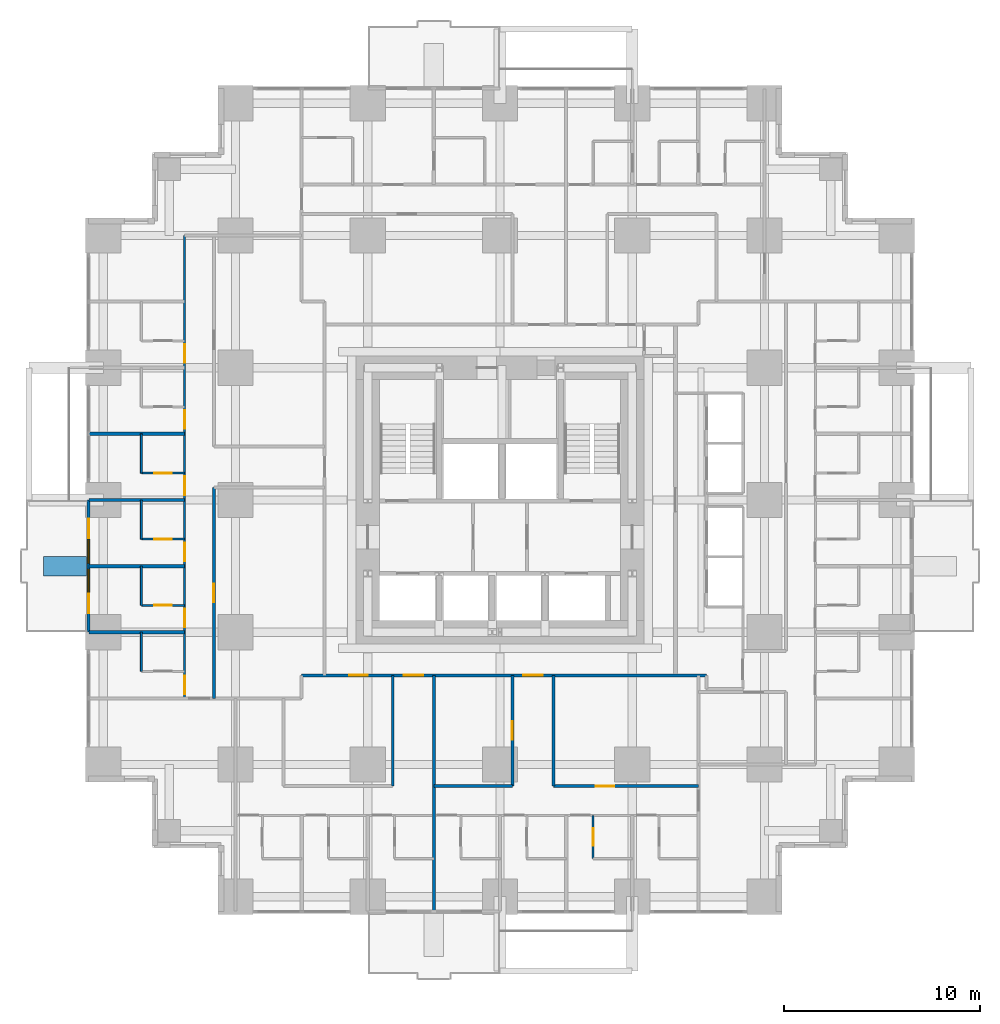
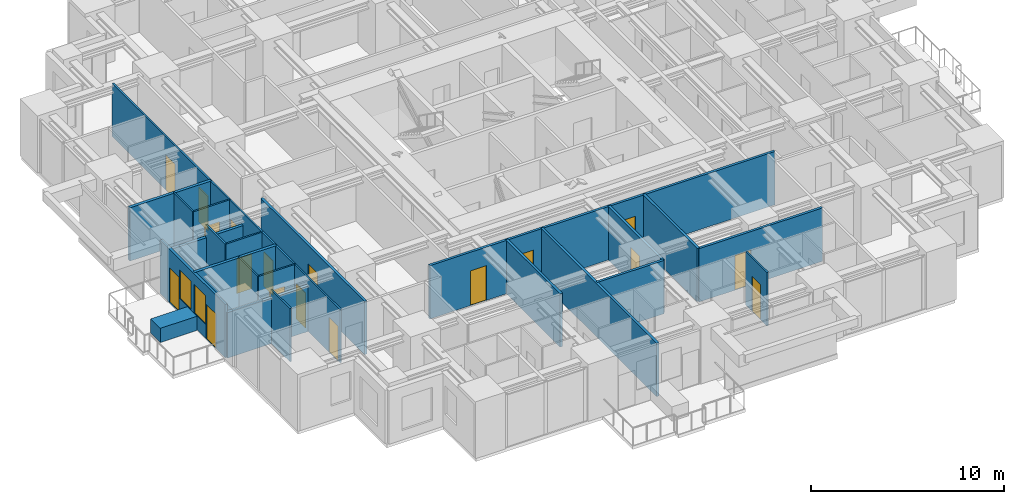
# One storey, part 9 of 15: 23 walls, 18 doors, 2 windows, 20 openings.
"""IFC4 building model written with IfcOpenShell, lengths in metres."""

from ifc_helpers import new_model, si_unit, direction, frame, frame_2d, origin, place, context, subcontext, project, spatial, rectangle, extrude, material, layer, layer_set, type_object, element, fill, save


model = new_model("IFC4")

# Units and contexts
model_context = context("Model", 3, precision=1e-05, world=origin(), true_north=direction((0.0, 1.0)))
body_context = subcontext(model_context, "Body", "Model", "MODEL_VIEW")
ifc_project = project(units=[si_unit("LENGTHUNIT", "METRE"), si_unit("AREAUNIT", "SQUARE_METRE"), si_unit("VOLUMEUNIT", "CUBIC_METRE"), si_unit("PLANEANGLEUNIT", "RADIAN"), si_unit("MASSUNIT", "GRAM", prefix="KILO")], contexts=[model_context])

# Site, building, storey
site_placement = place(None, origin())
site = spatial("IfcSite", under=ifc_project, at=site_placement, CompositionType="ELEMENT")
building_placement = place(site_placement, origin())
building = spatial("IfcBuilding", under=site, at=building_placement, Name="Nyansa Garden Tower", CompositionType="ELEMENT")
storey_placement = place(building_placement, frame((0.0, 0.0, 61.199951171875)))
storey = spatial("IfcBuildingStorey", under=building, at=storey_placement, Name="L16", CompositionType="ELEMENT", Elevation=61.199951171875)

# Walls
ifc_material_1 = material(Name="Dense blockwork, plastered both sides, 55 dB", Category="masonry")
ifc_layer_1 = layer(ifc_material_1, 0.175048828125)
ifc_layer_set_1 = layer_set([ifc_layer_1], Name="Acoustic party wall PW175")
wall_type_1 = type_object("IfcWallType", Name="Acoustic party wall PW175", PredefinedType="PARTITIONING", material=ifc_layer_set_1)
wall_1_placement = place(storey_placement, frame((-0.73388671875, 13.5, 0.0), z_axis=(0.0, 0.0, 1.0), x_axis=(1.0, 0.0, 0.0)))
element("IfcWall", 1, at=wall_1_placement, inside=storey, type_object=wall_type_1, Name="Party wall", PredefinedType="PARTITIONING", context=body_context, shape_type="SweptSolid", body=[
    extrude(rectangle(XDim=4.8837890625, YDim=0.175048828125, at=frame_2d((2.44189453125, 0.0))), origin(), (0.0, 0.0, 1.0), 2.876953125),
])
wall_2_placement = place(storey_placement, frame((-0.73388671875, 16.875, 0.0), z_axis=(0.0, 0.0, 1.0), x_axis=(1.0, 0.0, 0.0)))
element("IfcWall", 2, at=wall_2_placement, inside=storey, type_object=wall_type_1, Name="Party wall", PredefinedType="PARTITIONING", context=body_context, shape_type="SweptSolid", body=[
    extrude(rectangle(XDim=4.8837890625, YDim=0.175048828125, at=frame_2d((2.44189453125, 0.0))), origin(), (0.0, 0.0, 1.0), 3.375),
])
wall_3_placement = place(storey_placement, frame((-0.73388671875, 20.25, 0.0), z_axis=(0.0, 0.0, 1.0), x_axis=(1.0, 0.0, 0.0)))
element("IfcWall", 3, at=wall_3_placement, inside=storey, type_object=wall_type_1, Name="Party wall", PredefinedType="PARTITIONING", context=body_context, shape_type="SweptSolid", body=[
    extrude(rectangle(XDim=4.8837890625, YDim=0.175048828125, at=frame_2d((2.44189453125, 0.0))), origin(), (0.0, 0.0, 1.0), 2.610107421875),
])
wall_4_placement = place(storey_placement, frame((-0.73388671875, 23.625, 0.0), z_axis=(0.0, 0.0, 1.0), x_axis=(1.0, 0.0, 0.0)))
element("IfcWall", 4, at=wall_4_placement, inside=storey, type_object=wall_type_1, Name="Party wall", PredefinedType="PARTITIONING", context=body_context, shape_type="SweptSolid", body=[
    extrude(rectangle(XDim=4.8837890625, YDim=0.175048828125, at=frame_2d((2.44189453125, 0.0))), origin(), (0.0, 0.0, 1.0), 3.375),
])

# Wall, openings, doors, windows
ifc_material_2 = material(Name="Black aluminium framed glazed screen", Category="aluminium")
ifc_layer_2 = layer(ifc_material_2, 0.14990234375)
ifc_layer_set_2 = layer_set([ifc_layer_2], Name="Balcony screen wall BW150")
wall_type_2 = type_object("IfcWallType", Name="Balcony screen wall BW150", PredefinedType="SOLIDWALL", material=ifc_layer_set_2)
wall_5_placement = place(storey_placement, frame((-0.75, 13.5, 0.0), z_axis=(0.0, 0.0, 1.0), x_axis=(0.0, 1.0, 0.0)))
wall_5 = element("IfcWall", 5, at=wall_5_placement, inside=storey, type_object=wall_type_2, Name="Glazed screen wall L16 W", PredefinedType="SOLIDWALL", context=body_context, shape_type="SweptSolid", body=[
    extrude(rectangle(XDim=6.75, YDim=0.14990234375, at=frame_2d((3.375, 0.0))), origin(), (0.0, 0.0, 1.0), 3.375),
])
opening_1_placement = place(wall_5_placement, frame((0.96240234375, 0.0, 0.0)))
opening_1 = element("IfcOpeningElement", 6, at=opening_1_placement, cuts=wall_5, Name="Opening D20", PredefinedType="OPENING", context=body_context, shape_type="SweptSolid", body=[
    extrude(rectangle(XDim=1.0, YDim=2.199951171875, at=frame_2d((0.5, 1.10009765625))), frame((0.0, 0.0849609375, 0.0), z_axis=(0.0, -1.0, 0.0), x_axis=(1.0, 0.0, 0.0)), (0.0, 0.0, 1.0), 0.169921875),
])
opening_2_placement = place(wall_5_placement, frame((2.02490234375, 0.0, 0.89990234375)))
opening_2 = element("IfcOpeningElement", 7, at=opening_2_placement, cuts=wall_5, Name="Opening W6", PredefinedType="OPENING", context=body_context, shape_type="SweptSolid", body=[
    extrude(rectangle(XDim=1.199951171875, YDim=1.800048828125, at=frame_2d((0.60009765625, 0.89990234375))), frame((0.0, 0.0849609375, 0.0), z_axis=(0.0, -1.0, 0.0), x_axis=(1.0, 0.0, 0.0)), (0.0, 0.0, 1.0), 0.169921875),
])
opening_3_placement = place(wall_5_placement, frame((4.78759765625, 0.0, 0.0)))
opening_3 = element("IfcOpeningElement", 8, at=opening_3_placement, cuts=wall_5, Name="Opening D20", PredefinedType="OPENING", context=body_context, shape_type="SweptSolid", body=[
    extrude(rectangle(XDim=1.0, YDim=2.199951171875, at=frame_2d((0.5, 1.10009765625))), frame((0.0, 0.0849609375, 0.0), z_axis=(0.0, -1.0, 0.0), x_axis=(1.0, 0.0, 0.0)), (0.0, 0.0, 1.0), 0.169921875),
])
opening_4_placement = place(wall_5_placement, frame((3.52490234375, 0.0, 0.89990234375)))
opening_4 = element("IfcOpeningElement", 9, at=opening_4_placement, cuts=wall_5, Name="Opening W6", PredefinedType="OPENING", context=body_context, shape_type="SweptSolid", body=[
    extrude(rectangle(XDim=1.199951171875, YDim=1.800048828125, at=frame_2d((0.60009765625, 0.89990234375))), frame((0.0, 0.0849609375, 0.0), z_axis=(0.0, -1.0, 0.0), x_axis=(1.0, 0.0, 0.0)), (0.0, 0.0, 1.0), 0.169921875),
])
ifc_material_3 = material(Name="Black aluminium framed glazed door", Category="aluminium")
door_type_1 = type_object("IfcDoorType", Name="Balcony door D20 1000x2200", OperationType="NOTDEFINED", PredefinedType="DOOR", material=ifc_material_3)
door_1_placement = place(opening_1_placement, origin())
door_1 = element("IfcDoor", 10, at=door_1_placement, inside=storey, type_object=door_type_1, Name="Balcony door L16", OperationType="SINGLE_SWING_LEFT", OverallHeight=2.199951171875, OverallWidth=1.0, PredefinedType="DOOR", context=body_context, shape_type="SweptSolid", body=[
    extrude(rectangle(XDim=1.0, YDim=2.199951171875, at=frame_2d((0.5, 1.10009765625))), frame((0.0, 0.02490234375, 0.0), z_axis=(0.0, -1.0, 0.0), x_axis=(1.0, 0.0, 0.0)), (0.0, 0.0, 1.0), 0.050048828125),
])
fill(opening_1, door_1)
door_2_placement = place(opening_3_placement, origin())
door_2 = element("IfcDoor", 11, at=door_2_placement, inside=storey, type_object=door_type_1, Name="Balcony door L16", OperationType="SINGLE_SWING_RIGHT", OverallHeight=2.199951171875, OverallWidth=1.0, PredefinedType="DOOR", context=body_context, shape_type="SweptSolid", body=[
    extrude(rectangle(XDim=1.0, YDim=2.199951171875, at=frame_2d((0.5, 1.10009765625))), frame((0.0, 0.02490234375, 0.0), z_axis=(0.0, -1.0, 0.0), x_axis=(1.0, 0.0, 0.0)), (0.0, 0.0, 1.0), 0.050048828125),
])
fill(opening_3, door_2)
ifc_material_4 = material(Name="Black aluminium frame, dark tinted double glazing", Category="aluminium")
window_type = type_object("IfcWindowType", Name="Balcony window W6 1200x1800", PartitioningType="SINGLE_PANEL", PredefinedType="WINDOW", material=ifc_material_4)
window_1_placement = place(opening_2_placement, origin())
window_1 = element("IfcWindow", 12, at=window_1_placement, inside=storey, type_object=window_type, Name="Window L16", OverallHeight=1.800048828125, OverallWidth=1.199951171875, PartitioningType="SINGLE_PANEL", PredefinedType="WINDOW", context=body_context, shape_type="SweptSolid", body=[
    extrude(rectangle(XDim=1.199951171875, YDim=1.800048828125, at=frame_2d((0.60009765625, 0.89990234375))), frame((0.0, 0.030029296875, 0.0), z_axis=(0.0, -1.0, 0.0), x_axis=(1.0, 0.0, 0.0)), (0.0, 0.0, 1.0), 0.06005859375),
])
fill(opening_2, window_1)
window_2_placement = place(opening_4_placement, origin())
window_2 = element("IfcWindow", 13, at=window_2_placement, inside=storey, type_object=window_type, Name="Window L16", OverallHeight=1.800048828125, OverallWidth=1.199951171875, PartitioningType="SINGLE_PANEL", PredefinedType="WINDOW", context=body_context, shape_type="SweptSolid", body=[
    extrude(rectangle(XDim=1.199951171875, YDim=1.800048828125, at=frame_2d((0.60009765625, 0.89990234375))), frame((0.0, 0.030029296875, 0.0), z_axis=(0.0, -1.0, 0.0), x_axis=(1.0, 0.0, 0.0)), (0.0, 0.0, 1.0), 0.06005859375),
])
fill(opening_4, window_2)

# Wall, opening, door
ifc_material_5 = material(Name="Blockwork, plastered both sides", Category="masonry")
ifc_layer_3 = layer(ifc_material_5, 0.14990234375)
ifc_layer_set_3 = layer_set([ifc_layer_3], Name="Partition PW150")
wall_type_3 = type_object("IfcWallType", Name="Partition PW150", PredefinedType="PARTITIONING", material=ifc_layer_set_3)
wall_6_placement = place(storey_placement, frame((5.64990234375, 10.125, 0.0), z_axis=(0.0, 0.0, 1.0), x_axis=(0.0, 1.0, 0.0)))
wall_6 = element("IfcWall", 14, at=wall_6_placement, inside=storey, type_object=wall_type_3, Name="Partition", PredefinedType="PARTITIONING", context=body_context, shape_type="SweptSolid", body=[
    extrude(rectangle(XDim=10.762451171875, YDim=0.14990234375, at=frame_2d((5.38134765625, 0.0))), origin(), (0.0, 0.0, 1.0), 3.375),
])
opening_5_placement = place(wall_6_placement, frame((4.89990234375, 0.0, 0.0)))
opening_5 = element("IfcOpeningElement", 15, at=opening_5_placement, cuts=wall_6, Name="Opening D01", PredefinedType="OPENING", context=body_context, shape_type="SweptSolid", body=[
    extrude(rectangle(XDim=0.949951171875, YDim=2.199951171875, at=frame_2d((0.47509765625, 1.10009765625))), frame((0.0, 0.0849609375, 0.0), z_axis=(0.0, -1.0, 0.0), x_axis=(1.0, 0.0, 0.0)), (0.0, 0.0, 1.0), 0.169921875),
])
ifc_material_6 = material(Name="Timber flush door, 30 minute fire resisting", Category="wood")
door_type_2 = type_object("IfcDoorType", Name="Bedroom door D01 950x2200", OperationType="SINGLE_SWING_LEFT", PredefinedType="DOOR", material=ifc_material_6)
door_3_placement = place(opening_5_placement, origin())
door_3 = element("IfcDoor", 16, at=door_3_placement, inside=storey, type_object=door_type_2, Name="Door L16-082", OperationType="SINGLE_SWING_LEFT", OverallHeight=2.199951171875, OverallWidth=0.949951171875, PredefinedType="DOOR", context=body_context, shape_type="SweptSolid", body=[
    extrude(rectangle(XDim=0.949951171875, YDim=2.199951171875, at=frame_2d((0.47509765625, 1.10009765625))), frame((0.0, 0.02490234375, 0.0), z_axis=(0.0, -1.0, 0.0), x_axis=(1.0, 0.0, 0.0)), (0.0, 0.0, 1.0), 0.050048828125),
])
fill(opening_5, door_3)

# Wall, openings, doors
wall_7_placement = place(storey_placement, frame((10.125, 11.300048828125, 0.0), z_axis=(0.0, 0.0, 1.0), x_axis=(1.0, 0.0, 0.0)))
wall_7 = element("IfcWall", 17, at=wall_7_placement, inside=storey, type_object=wall_type_3, Name="Partition", PredefinedType="PARTITIONING", context=body_context, shape_type="SweptSolid", body=[
    extrude(rectangle(XDim=20.675048828125, YDim=0.14990234375, at=frame_2d((10.33740234375, 0.0))), origin(), (0.0, 0.0, 1.0), 3.375),
])
opening_6_placement = place(wall_7_placement, frame((5.199951171875, 0.0, 0.0)))
opening_6 = element("IfcOpeningElement", 18, at=opening_6_placement, cuts=wall_7, Name="Opening D03", PredefinedType="OPENING", context=body_context, shape_type="SweptSolid", body=[
    extrude(rectangle(XDim=1.0, YDim=2.199951171875, at=frame_2d((0.5, 1.10009765625))), frame((0.0, 0.0849609375, 0.0), z_axis=(0.0, -1.0, 0.0), x_axis=(1.0, 0.0, 0.0)), (0.0, 0.0, 1.0), 0.169921875),
])
opening_7_placement = place(wall_7_placement, frame((11.3125, 0.0, 0.0)))
opening_7 = element("IfcOpeningElement", 19, at=opening_7_placement, cuts=wall_7, Name="Opening D03", PredefinedType="OPENING", context=body_context, shape_type="SweptSolid", body=[
    extrude(rectangle(XDim=1.0, YDim=2.199951171875, at=frame_2d((0.5, 1.10009765625))), frame((0.0, 0.0849609375, 0.0), z_axis=(0.0, -1.0, 0.0), x_axis=(1.0, 0.0, 0.0)), (0.0, 0.0, 1.0), 0.169921875),
])
opening_8_placement = place(wall_7_placement, frame((2.425048828125, 0.0, 0.0)))
opening_8 = element("IfcOpeningElement", 20, at=opening_8_placement, cuts=wall_7, Name="Opening D01", PredefinedType="OPENING", context=body_context, shape_type="SweptSolid", body=[
    extrude(rectangle(XDim=0.949951171875, YDim=2.199951171875, at=frame_2d((0.47509765625, 1.10009765625))), frame((0.0, 0.0849609375, 0.0), z_axis=(0.0, -1.0, 0.0), x_axis=(1.0, 0.0, 0.0)), (0.0, 0.0, 1.0), 0.169921875),
])
door_4_placement = place(opening_8_placement, origin())
door_4 = element("IfcDoor", 21, at=door_4_placement, inside=storey, type_object=door_type_2, Name="Door L16-034", OperationType="SINGLE_SWING_LEFT", OverallHeight=2.199951171875, OverallWidth=0.949951171875, PredefinedType="DOOR", context=body_context, shape_type="SweptSolid", body=[
    extrude(rectangle(XDim=0.949951171875, YDim=2.199951171875, at=frame_2d((0.47509765625, 1.10009765625))), frame((0.0, 0.02490234375, 0.0), z_axis=(0.0, -1.0, 0.0), x_axis=(1.0, 0.0, 0.0)), (0.0, 0.0, 1.0), 0.050048828125),
])
fill(opening_8, door_4)
ifc_material_7 = material(Name="Timber flush door, 60 minute fire resisting", Category="wood")
door_type_3 = type_object("IfcDoorType", Name="Cluster entrance door D03 1000x2200", OperationType="SINGLE_SWING_LEFT", PredefinedType="DOOR", material=ifc_material_7)
door_5_placement = place(opening_6_placement, origin())
door_5 = element("IfcDoor", 22, at=door_5_placement, inside=storey, type_object=door_type_3, Name="Door L16-024", OperationType="SINGLE_SWING_LEFT", OverallHeight=2.199951171875, OverallWidth=1.0, PredefinedType="DOOR", context=body_context, shape_type="SweptSolid", body=[
    extrude(rectangle(XDim=1.0, YDim=2.199951171875, at=frame_2d((0.5, 1.10009765625))), frame((0.0, 0.02490234375, 0.0), z_axis=(0.0, -1.0, 0.0), x_axis=(1.0, 0.0, 0.0)), (0.0, 0.0, 1.0), 0.050048828125),
])
fill(opening_6, door_5)
door_6_placement = place(opening_7_placement, origin())
door_6 = element("IfcDoor", 23, at=door_6_placement, inside=storey, type_object=door_type_3, Name="Door L16-033", OperationType="SINGLE_SWING_LEFT", OverallHeight=2.199951171875, OverallWidth=1.0, PredefinedType="DOOR", context=body_context, shape_type="SweptSolid", body=[
    extrude(rectangle(XDim=1.0, YDim=2.199951171875, at=frame_2d((0.5, 1.10009765625))), frame((0.0, 0.02490234375, 0.0), z_axis=(0.0, -1.0, 0.0), x_axis=(1.0, 0.0, 0.0)), (0.0, 0.0, 1.0), 0.050048828125),
])
fill(opening_7, door_6)

# Walls
wall_8_placement = place(storey_placement, frame((14.77490234375, 5.64990234375, 0.0), z_axis=(0.0, 0.0, 1.0), x_axis=(0.0, 1.0, 0.0)))
element("IfcWall", 24, at=wall_8_placement, inside=storey, type_object=wall_type_3, Name="Partition", PredefinedType="PARTITIONING", context=body_context, shape_type="SweptSolid", body=[
    extrude(rectangle(XDim=5.650146484375, YDim=0.14990234375, at=frame_2d((2.8251953125, 0.0))), origin(), (0.0, 0.0, 1.0), 3.375),
])
wall_9_placement = place(storey_placement, frame((16.875, -0.73388671875, 0.0), z_axis=(0.0, 0.0, 1.0), x_axis=(0.0, 1.0, 0.0)))
element("IfcWall", 25, at=wall_9_placement, inside=storey, type_object=wall_type_3, Name="Partition", PredefinedType="PARTITIONING", context=body_context, shape_type="SweptSolid", body=[
    extrude(rectangle(XDim=12.033935546875, YDim=0.14990234375, at=frame_2d((6.01708984375, 0.0))), origin(), (0.0, 0.0, 1.0), 3.375),
])
wall_10_placement = place(storey_placement, frame((16.875, 5.64990234375, 0.0), z_axis=(0.0, 0.0, 1.0), x_axis=(1.0, 0.0, 0.0)))
element("IfcWall", 26, at=wall_10_placement, inside=storey, type_object=wall_type_3, Name="Partition", PredefinedType="PARTITIONING", context=body_context, shape_type="SweptSolid", body=[
    extrude(rectangle(XDim=4.012451171875, YDim=0.14990234375, at=frame_2d((2.00634765625, 0.0))), origin(), (0.0, 0.0, 1.0), 3.375),
])

# Wall, opening, door
wall_11_placement = place(storey_placement, frame((20.886962890625, 5.64990234375, 0.0), z_axis=(0.0, 0.0, 1.0), x_axis=(0.0, 1.0, 0.0)))
wall_11 = element("IfcWall", 27, at=wall_11_placement, inside=storey, type_object=wall_type_3, Name="Partition", PredefinedType="PARTITIONING", context=body_context, shape_type="SweptSolid", body=[
    extrude(rectangle(XDim=5.650146484375, YDim=0.14990234375, at=frame_2d((2.8251953125, 0.0))), origin(), (0.0, 0.0, 1.0), 3.375),
])
opening_9_placement = place(wall_11_placement, frame((2.35009765625, 0.0, 0.0)))
opening_9 = element("IfcOpeningElement", 28, at=opening_9_placement, cuts=wall_11, Name="Opening D01", PredefinedType="OPENING", context=body_context, shape_type="SweptSolid", body=[
    extrude(rectangle(XDim=0.949951171875, YDim=2.199951171875, at=frame_2d((0.47509765625, 1.10009765625))), frame((0.0, 0.0849609375, 0.0), z_axis=(0.0, -1.0, 0.0), x_axis=(1.0, 0.0, 0.0)), (0.0, 0.0, 1.0), 0.169921875),
])
door_7_placement = place(opening_9_placement, origin())
door_7 = element("IfcDoor", 29, at=door_7_placement, inside=storey, type_object=door_type_2, Name="Door L16-036", OperationType="SINGLE_SWING_LEFT", OverallHeight=2.199951171875, OverallWidth=0.949951171875, PredefinedType="DOOR", context=body_context, shape_type="SweptSolid", body=[
    extrude(rectangle(XDim=0.949951171875, YDim=2.199951171875, at=frame_2d((0.47509765625, 1.10009765625))), frame((0.0, 0.02490234375, 0.0), z_axis=(0.0, -1.0, 0.0), x_axis=(1.0, 0.0, 0.0)), (0.0, 0.0, 1.0), 0.050048828125),
])
fill(opening_9, door_7)

wall_12_placement = place(storey_placement, frame((22.987548828125, 5.64990234375, 0.0), z_axis=(0.0, 0.0, 1.0), x_axis=(1.0, 0.0, 0.0)))
wall_12 = element("IfcWall", 30, at=wall_12_placement, inside=storey, type_object=wall_type_3, Name="Partition", PredefinedType="PARTITIONING", context=body_context, shape_type="SweptSolid", body=[
    extrude(rectangle(XDim=7.387451171875, YDim=0.14990234375, at=frame_2d((3.69384765625, 0.0))), origin(), (0.0, 0.0, 1.0), 3.375),
])
opening_10_placement = place(wall_12_placement, frame((2.14990234375, 0.0, 0.0)))
opening_10 = element("IfcOpeningElement", 31, at=opening_10_placement, cuts=wall_12, Name="Opening D01", PredefinedType="OPENING", context=body_context, shape_type="SweptSolid", body=[
    extrude(rectangle(XDim=0.949951171875, YDim=2.199951171875, at=frame_2d((0.47509765625, 1.10009765625))), frame((0.0, 0.0849609375, 0.0), z_axis=(0.0, -1.0, 0.0), x_axis=(1.0, 0.0, 0.0)), (0.0, 0.0, 1.0), 0.169921875),
])
door_8_placement = place(opening_10_placement, origin())
door_8 = element("IfcDoor", 32, at=door_8_placement, inside=storey, type_object=door_type_2, Name="Door L16-035", OperationType="SINGLE_SWING_LEFT", OverallHeight=2.199951171875, OverallWidth=0.949951171875, PredefinedType="DOOR", context=body_context, shape_type="SweptSolid", body=[
    extrude(rectangle(XDim=0.949951171875, YDim=2.199951171875, at=frame_2d((0.47509765625, 1.10009765625))), frame((0.0, 0.02490234375, 0.0), z_axis=(0.0, -1.0, 0.0), x_axis=(1.0, 0.0, 0.0)), (0.0, 0.0, 1.0), 0.050048828125),
])
fill(opening_10, door_8)

# Walls
wall_13_placement = place(storey_placement, frame((22.988037109375, 5.64990234375, 0.0), z_axis=(0.0, 0.0, 1.0), x_axis=(0.0, 1.0, 0.0)))
element("IfcWall", 33, at=wall_13_placement, inside=storey, type_object=wall_type_3, Name="Partition", PredefinedType="PARTITIONING", context=body_context, shape_type="SweptSolid", body=[
    extrude(rectangle(XDim=5.650146484375, YDim=0.14990234375, at=frame_2d((2.8251953125, 0.0))), origin(), (0.0, 0.0, 1.0), 3.375),
])
ifc_material_8 = material(Name="Concrete C40/50 planter, waterproofed", Category="concrete")
ifc_layer_4 = layer(ifc_material_8, 1.0)
ifc_layer_set_4 = layer_set([ifc_layer_4], Name="Tree planter TP1")
wall_type_4 = type_object("IfcWallType", Name="Tree planter TP1", PredefinedType="USERDEFINED", material=ifc_layer_set_4)
wall_14_placement = place(storey_placement, frame((-0.85009765625, 16.875, 0.0), z_axis=(0.0, 0.0, 1.0), x_axis=(-1.0, 0.0, 0.0)))
element("IfcWall", 34, at=wall_14_placement, inside=storey, type_object=wall_type_4, Name="Tree planter L16", ObjectType="TREE PLANTER", PredefinedType="USERDEFINED", context=body_context, shape_type="SweptSolid", body=[
    extrude(rectangle(XDim=2.199951171875, YDim=1.0, at=frame_2d((1.10009765625, 0.0))), origin(), (0.0, 0.0, 1.0), 0.900146484375),
])
ifc_material_9 = material(Name="Moisture resistant board on steel studs, tiled", Category="steel")
ifc_layer_5 = layer(ifc_material_9, 0.10009765625)
ifc_layer_set_5 = layer_set([ifc_layer_5], Name="Wet wall PW100")
wall_type_5 = type_object("IfcWallType", Name="Wet wall PW100", PredefinedType="PARTITIONING", material=ifc_layer_set_5)
for number, where, z_axis, x_axis, name in (
    (35, (1.949951171875, 11.5, 0.0), (0.0, 0.0, 1.0), (0.0, 1.0, 0.0), "Wet wall"),
    (36, (1.949951171875, 14.875, 0.0), (0.0, 0.0, 1.0), (0.0, 1.0, 0.0), "Wet wall"),
):
    element("IfcWall", number, at=place(storey_placement, frame(where, z_axis=z_axis, x_axis=x_axis)), inside=storey, type_object=wall_type_5, Name=name, PredefinedType="PARTITIONING", context=body_context, shape_type="SweptSolid", body=[
        extrude(rectangle(XDim=2.0, YDim=0.10009765625, at=frame_2d((1.0, 0.0))), origin(), (0.0, 0.0, 1.0), 3.375),
    ])

# Wall, opening, door
wall_15_placement = place(storey_placement, frame((1.949951171875, 14.875, 0.0), z_axis=(0.0, 0.0, 1.0), x_axis=(1.0, 0.0, 0.0)))
wall_15 = element("IfcWall", 37, at=wall_15_placement, inside=storey, type_object=wall_type_5, Name="Wet wall", PredefinedType="PARTITIONING", context=body_context, shape_type="SweptSolid", body=[
    extrude(rectangle(XDim=2.199951171875, YDim=0.10009765625, at=frame_2d((1.10009765625, 0.0))), origin(), (0.0, 0.0, 1.0), 3.375),
])
opening_11_placement = place(wall_15_placement, frame((0.64990234375, 0.0, 0.0)))
opening_11 = element("IfcOpeningElement", 38, at=opening_11_placement, cuts=wall_15, Name="Opening D02", PredefinedType="OPENING", context=body_context, shape_type="SweptSolid", body=[
    extrude(rectangle(XDim=0.89990234375, YDim=2.199951171875, at=frame_2d((0.449951171875, 1.10009765625))), frame((0.0, 0.06005859375, 0.0), z_axis=(0.0, -1.0, 0.0), x_axis=(1.0, 0.0, 0.0)), (0.0, 0.0, 1.0), 0.1201171875),
])
ifc_material_10 = material(Name="Timber flush door", Category="wood")
door_type_4 = type_object("IfcDoorType", Name="En-suite door D02 900x2200", OperationType="SINGLE_SWING_RIGHT", PredefinedType="DOOR", material=ifc_material_10)
door_9_placement = place(opening_11_placement, origin())
door_9 = element("IfcDoor", 39, at=door_9_placement, inside=storey, type_object=door_type_4, Name="Door L16-072", OperationType="SINGLE_SWING_RIGHT", OverallHeight=2.199951171875, OverallWidth=0.89990234375, PredefinedType="DOOR", context=body_context, shape_type="SweptSolid", body=[
    extrude(rectangle(XDim=0.89990234375, YDim=2.199951171875, at=frame_2d((0.449951171875, 1.10009765625))), frame((0.0, 0.02490234375, 0.0), z_axis=(0.0, -1.0, 0.0), x_axis=(1.0, 0.0, 0.0)), (0.0, 0.0, 1.0), 0.050048828125),
])
fill(opening_11, door_9)

# Wall
wall_16_placement = place(storey_placement, frame((1.949951171875, 18.25, 0.0), z_axis=(0.0, 0.0, 1.0), x_axis=(0.0, 1.0, 0.0)))
element("IfcWall", 40, at=wall_16_placement, inside=storey, type_object=wall_type_5, Name="Wet wall", PredefinedType="PARTITIONING", context=body_context, shape_type="SweptSolid", body=[
    extrude(rectangle(XDim=2.0, YDim=0.10009765625, at=frame_2d((1.0, 0.0))), origin(), (0.0, 0.0, 1.0), 3.375),
])

# Wall, opening, door
wall_17_placement = place(storey_placement, frame((1.949951171875, 18.25, 0.0), z_axis=(0.0, 0.0, 1.0), x_axis=(1.0, 0.0, 0.0)))
wall_17 = element("IfcWall", 41, at=wall_17_placement, inside=storey, type_object=wall_type_5, Name="Wet wall", PredefinedType="PARTITIONING", context=body_context, shape_type="SweptSolid", body=[
    extrude(rectangle(XDim=2.199951171875, YDim=0.10009765625, at=frame_2d((1.10009765625, 0.0))), origin(), (0.0, 0.0, 1.0), 3.375),
])
opening_12_placement = place(wall_17_placement, frame((0.64990234375, 0.0, 0.0)))
opening_12 = element("IfcOpeningElement", 42, at=opening_12_placement, cuts=wall_17, Name="Opening D02", PredefinedType="OPENING", context=body_context, shape_type="SweptSolid", body=[
    extrude(rectangle(XDim=0.89990234375, YDim=2.199951171875, at=frame_2d((0.449951171875, 1.10009765625))), frame((0.0, 0.06005859375, 0.0), z_axis=(0.0, -1.0, 0.0), x_axis=(1.0, 0.0, 0.0)), (0.0, 0.0, 1.0), 0.1201171875),
])
door_10_placement = place(opening_12_placement, origin())
door_10 = element("IfcDoor", 43, at=door_10_placement, inside=storey, type_object=door_type_4, Name="Door L16-074", OperationType="SINGLE_SWING_RIGHT", OverallHeight=2.199951171875, OverallWidth=0.89990234375, PredefinedType="DOOR", context=body_context, shape_type="SweptSolid", body=[
    extrude(rectangle(XDim=0.89990234375, YDim=2.199951171875, at=frame_2d((0.449951171875, 1.10009765625))), frame((0.0, 0.02490234375, 0.0), z_axis=(0.0, -1.0, 0.0), x_axis=(1.0, 0.0, 0.0)), (0.0, 0.0, 1.0), 0.050048828125),
])
fill(opening_12, door_10)

# Wall
wall_18_placement = place(storey_placement, frame((1.949951171875, 21.625, 0.0), z_axis=(0.0, 0.0, 1.0), x_axis=(0.0, 1.0, 0.0)))
element("IfcWall", 44, at=wall_18_placement, inside=storey, type_object=wall_type_5, Name="Wet wall", PredefinedType="PARTITIONING", context=body_context, shape_type="SweptSolid", body=[
    extrude(rectangle(XDim=2.0, YDim=0.10009765625, at=frame_2d((1.0, 0.0))), origin(), (0.0, 0.0, 1.0), 3.375),
])

# Wall, opening, door
wall_19_placement = place(storey_placement, frame((1.949951171875, 21.625, 0.0), z_axis=(0.0, 0.0, 1.0), x_axis=(1.0, 0.0, 0.0)))
wall_19 = element("IfcWall", 45, at=wall_19_placement, inside=storey, type_object=wall_type_5, Name="Wet wall", PredefinedType="PARTITIONING", context=body_context, shape_type="SweptSolid", body=[
    extrude(rectangle(XDim=2.199951171875, YDim=0.10009765625, at=frame_2d((1.10009765625, 0.0))), origin(), (0.0, 0.0, 1.0), 3.375),
])
opening_13_placement = place(wall_19_placement, frame((0.64990234375, 0.0, 0.0)))
opening_13 = element("IfcOpeningElement", 46, at=opening_13_placement, cuts=wall_19, Name="Opening D02", PredefinedType="OPENING", context=body_context, shape_type="SweptSolid", body=[
    extrude(rectangle(XDim=0.89990234375, YDim=2.199951171875, at=frame_2d((0.449951171875, 1.10009765625))), frame((0.0, 0.06005859375, 0.0), z_axis=(0.0, -1.0, 0.0), x_axis=(1.0, 0.0, 0.0)), (0.0, 0.0, 1.0), 0.1201171875),
])
door_11_placement = place(opening_13_placement, origin())
door_11 = element("IfcDoor", 47, at=door_11_placement, inside=storey, type_object=door_type_4, Name="Door L16-076", OperationType="SINGLE_SWING_RIGHT", OverallHeight=2.199951171875, OverallWidth=0.89990234375, PredefinedType="DOOR", context=body_context, shape_type="SweptSolid", body=[
    extrude(rectangle(XDim=0.89990234375, YDim=2.199951171875, at=frame_2d((0.449951171875, 1.10009765625))), frame((0.0, 0.02490234375, 0.0), z_axis=(0.0, -1.0, 0.0), x_axis=(1.0, 0.0, 0.0)), (0.0, 0.0, 1.0), 0.050048828125),
])
fill(opening_13, door_11)

# Wall, openings, doors
wall_20_placement = place(storey_placement, frame((4.14990234375, 10.125, 0.0), z_axis=(0.0, 0.0, 1.0), x_axis=(0.0, 1.0, 0.0)))
wall_20 = element("IfcWall", 48, at=wall_20_placement, inside=storey, type_object=wall_type_5, Name="Wet wall", PredefinedType="PARTITIONING", context=body_context, shape_type="SweptSolid", body=[
    extrude(rectangle(XDim=23.625, YDim=0.10009765625, at=frame_2d((11.8125, 0.0))), origin(), (0.0, 0.0, 1.0), 3.375),
])
opening_14_placement = place(wall_20_placement, frame((0.199951171875, 0.0, 0.0)))
opening_14 = element("IfcOpeningElement", 49, at=opening_14_placement, cuts=wall_20, Name="Opening D14", PredefinedType="OPENING", context=body_context, shape_type="SweptSolid", body=[
    extrude(rectangle(XDim=0.949951171875, YDim=2.199951171875, at=frame_2d((0.47509765625, 1.10009765625))), frame((0.0, 0.06005859375, 0.0), z_axis=(0.0, -1.0, 0.0), x_axis=(1.0, 0.0, 0.0)), (0.0, 0.0, 1.0), 0.1201171875),
])
opening_15_placement = place(wall_20_placement, frame((3.625, 0.0, 0.0)))
opening_15 = element("IfcOpeningElement", 50, at=opening_15_placement, cuts=wall_20, Name="Opening D14", PredefinedType="OPENING", context=body_context, shape_type="SweptSolid", body=[
    extrude(rectangle(XDim=0.949951171875, YDim=2.199951171875, at=frame_2d((0.47509765625, 1.10009765625))), frame((0.0, 0.06005859375, 0.0), z_axis=(0.0, -1.0, 0.0), x_axis=(1.0, 0.0, 0.0)), (0.0, 0.0, 1.0), 0.1201171875),
])
opening_16_placement = place(wall_20_placement, frame((7.0, 0.0, 0.0)))
opening_16 = element("IfcOpeningElement", 51, at=opening_16_placement, cuts=wall_20, Name="Opening D14", PredefinedType="OPENING", context=body_context, shape_type="SweptSolid", body=[
    extrude(rectangle(XDim=0.949951171875, YDim=2.199951171875, at=frame_2d((0.47509765625, 1.10009765625))), frame((0.0, 0.06005859375, 0.0), z_axis=(0.0, -1.0, 0.0), x_axis=(1.0, 0.0, 0.0)), (0.0, 0.0, 1.0), 0.1201171875),
])
opening_17_placement = place(wall_20_placement, frame((10.375, 0.0, 0.0)))
opening_17 = element("IfcOpeningElement", 52, at=opening_17_placement, cuts=wall_20, Name="Opening D14", PredefinedType="OPENING", context=body_context, shape_type="SweptSolid", body=[
    extrude(rectangle(XDim=0.949951171875, YDim=2.199951171875, at=frame_2d((0.47509765625, 1.10009765625))), frame((0.0, 0.06005859375, 0.0), z_axis=(0.0, -1.0, 0.0), x_axis=(1.0, 0.0, 0.0)), (0.0, 0.0, 1.0), 0.1201171875),
])
opening_18_placement = place(wall_20_placement, frame((13.75, 0.0, 0.0)))
opening_18 = element("IfcOpeningElement", 53, at=opening_18_placement, cuts=wall_20, Name="Opening D14", PredefinedType="OPENING", context=body_context, shape_type="SweptSolid", body=[
    extrude(rectangle(XDim=0.949951171875, YDim=2.199951171875, at=frame_2d((0.47509765625, 1.10009765625))), frame((0.0, 0.06005859375, 0.0), z_axis=(0.0, -1.0, 0.0), x_axis=(1.0, 0.0, 0.0)), (0.0, 0.0, 1.0), 0.1201171875),
])
opening_19_placement = place(wall_20_placement, frame((17.125, 0.0, 0.0)))
opening_19 = element("IfcOpeningElement", 54, at=opening_19_placement, cuts=wall_20, Name="Opening D14", PredefinedType="OPENING", context=body_context, shape_type="SweptSolid", body=[
    extrude(rectangle(XDim=0.949951171875, YDim=2.199951171875, at=frame_2d((0.47509765625, 1.10009765625))), frame((0.0, 0.06005859375, 0.0), z_axis=(0.0, -1.0, 0.0), x_axis=(1.0, 0.0, 0.0)), (0.0, 0.0, 1.0), 0.1201171875),
])
ifc_material_11 = material(Name="Timber flush door, 60 minute fire resisting, self-closing", Category="wood")
door_type_5 = type_object("IfcDoorType", Name="Studio entrance door D14 950x2200", OperationType="SINGLE_SWING_LEFT", PredefinedType="DOOR", material=ifc_material_11)
door_12_placement = place(opening_14_placement, origin())
door_12 = element("IfcDoor", 55, at=door_12_placement, inside=storey, type_object=door_type_5, Name="Door L16-069", OperationType="SINGLE_SWING_LEFT", OverallHeight=2.199951171875, OverallWidth=0.949951171875, PredefinedType="DOOR", context=body_context, shape_type="SweptSolid", body=[
    extrude(rectangle(XDim=0.949951171875, YDim=2.199951171875, at=frame_2d((0.47509765625, 1.10009765625))), frame((0.0, 0.02490234375, 0.0), z_axis=(0.0, -1.0, 0.0), x_axis=(1.0, 0.0, 0.0)), (0.0, 0.0, 1.0), 0.050048828125),
])
fill(opening_14, door_12)
door_13_placement = place(opening_15_placement, origin())
door_13 = element("IfcDoor", 56, at=door_13_placement, inside=storey, type_object=door_type_5, Name="Door L16-071", OperationType="SINGLE_SWING_LEFT", OverallHeight=2.199951171875, OverallWidth=0.949951171875, PredefinedType="DOOR", context=body_context, shape_type="SweptSolid", body=[
    extrude(rectangle(XDim=0.949951171875, YDim=2.199951171875, at=frame_2d((0.47509765625, 1.10009765625))), frame((0.0, 0.02490234375, 0.0), z_axis=(0.0, -1.0, 0.0), x_axis=(1.0, 0.0, 0.0)), (0.0, 0.0, 1.0), 0.050048828125),
])
fill(opening_15, door_13)
door_14_placement = place(opening_16_placement, origin())
door_14 = element("IfcDoor", 57, at=door_14_placement, inside=storey, type_object=door_type_5, Name="Door L16-073", OperationType="SINGLE_SWING_LEFT", OverallHeight=2.199951171875, OverallWidth=0.949951171875, PredefinedType="DOOR", context=body_context, shape_type="SweptSolid", body=[
    extrude(rectangle(XDim=0.949951171875, YDim=2.199951171875, at=frame_2d((0.47509765625, 1.10009765625))), frame((0.0, 0.02490234375, 0.0), z_axis=(0.0, -1.0, 0.0), x_axis=(1.0, 0.0, 0.0)), (0.0, 0.0, 1.0), 0.050048828125),
])
fill(opening_16, door_14)
door_15_placement = place(opening_17_placement, origin())
door_15 = element("IfcDoor", 58, at=door_15_placement, inside=storey, type_object=door_type_5, Name="Door L16-075", OperationType="SINGLE_SWING_LEFT", OverallHeight=2.199951171875, OverallWidth=0.949951171875, PredefinedType="DOOR", context=body_context, shape_type="SweptSolid", body=[
    extrude(rectangle(XDim=0.949951171875, YDim=2.199951171875, at=frame_2d((0.47509765625, 1.10009765625))), frame((0.0, 0.02490234375, 0.0), z_axis=(0.0, -1.0, 0.0), x_axis=(1.0, 0.0, 0.0)), (0.0, 0.0, 1.0), 0.050048828125),
])
fill(opening_17, door_15)
door_16_placement = place(opening_18_placement, origin())
door_16 = element("IfcDoor", 59, at=door_16_placement, inside=storey, type_object=door_type_5, Name="Door L16-077", OperationType="SINGLE_SWING_LEFT", OverallHeight=2.199951171875, OverallWidth=0.949951171875, PredefinedType="DOOR", context=body_context, shape_type="SweptSolid", body=[
    extrude(rectangle(XDim=0.949951171875, YDim=2.199951171875, at=frame_2d((0.47509765625, 1.10009765625))), frame((0.0, 0.02490234375, 0.0), z_axis=(0.0, -1.0, 0.0), x_axis=(1.0, 0.0, 0.0)), (0.0, 0.0, 1.0), 0.050048828125),
])
fill(opening_18, door_16)
door_17_placement = place(opening_19_placement, origin())
door_17 = element("IfcDoor", 60, at=door_17_placement, inside=storey, type_object=door_type_5, Name="Door L16-079", OperationType="SINGLE_SWING_LEFT", OverallHeight=2.199951171875, OverallWidth=0.949951171875, PredefinedType="DOOR", context=body_context, shape_type="SweptSolid", body=[
    extrude(rectangle(XDim=0.949951171875, YDim=2.199951171875, at=frame_2d((0.47509765625, 1.10009765625))), frame((0.0, 0.02490234375, 0.0), z_axis=(0.0, -1.0, 0.0), x_axis=(1.0, 0.0, 0.0)), (0.0, 0.0, 1.0), 0.050048828125),
])
fill(opening_19, door_17)

# Wall, opening, door
wall_21_placement = place(storey_placement, frame((25.0, 1.949951171875, 0.0), z_axis=(0.0, 0.0, 1.0), x_axis=(0.0, 1.0, 0.0)))
wall_21 = element("IfcWall", 61, at=wall_21_placement, inside=storey, type_object=wall_type_5, Name="Wet wall", PredefinedType="PARTITIONING", context=body_context, shape_type="SweptSolid", body=[
    extrude(rectangle(XDim=2.199951171875, YDim=0.10009765625, at=frame_2d((1.10009765625, 0.0))), origin(), (0.0, 0.0, 1.0), 3.375),
])
opening_20_placement = place(wall_21_placement, frame((0.64990234375, 0.0, 0.0)))
opening_20 = element("IfcOpeningElement", 62, at=opening_20_placement, cuts=wall_21, Name="Opening D02", PredefinedType="OPENING", context=body_context, shape_type="SweptSolid", body=[
    extrude(rectangle(XDim=0.89990234375, YDim=2.199951171875, at=frame_2d((0.449951171875, 1.10009765625))), frame((0.0, 0.06005859375, 0.0), z_axis=(0.0, -1.0, 0.0), x_axis=(1.0, 0.0, 0.0)), (0.0, 0.0, 1.0), 0.1201171875),
])
door_18_placement = place(opening_20_placement, origin())
door_18 = element("IfcDoor", 63, at=door_18_placement, inside=storey, type_object=door_type_4, Name="Door L16-030", OperationType="SINGLE_SWING_RIGHT", OverallHeight=2.199951171875, OverallWidth=0.89990234375, PredefinedType="DOOR", context=body_context, shape_type="SweptSolid", body=[
    extrude(rectangle(XDim=0.89990234375, YDim=2.199951171875, at=frame_2d((0.449951171875, 1.10009765625))), frame((0.0, 0.02490234375, 0.0), z_axis=(0.0, -1.0, 0.0), x_axis=(1.0, 0.0, 0.0)), (0.0, 0.0, 1.0), 0.050048828125),
])
fill(opening_20, door_18)

save(model, "model.ifc")
